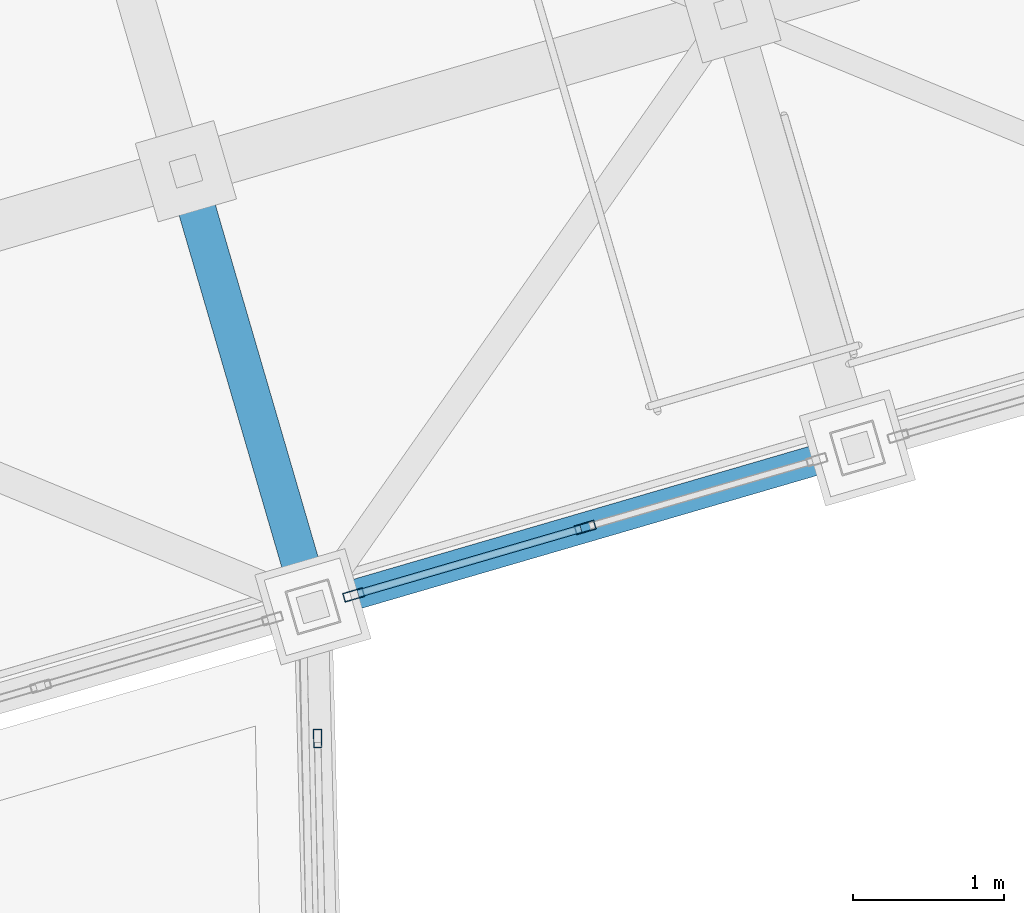
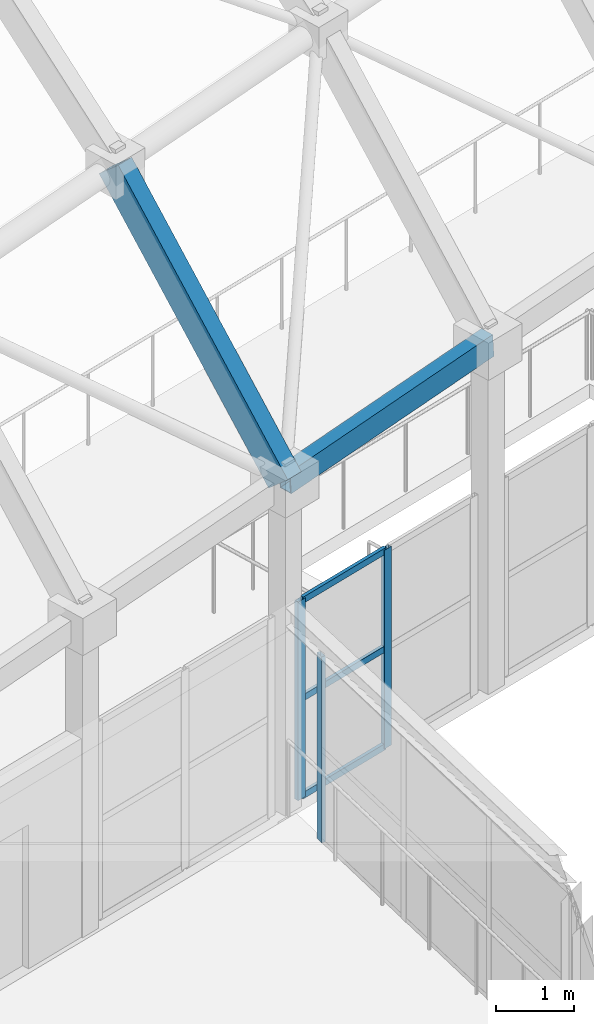
# One storey, part 45 of 248: 6 members, 2 beams, 2 elements without a shape of their own.
"""IFC4 building model written with IfcOpenShell, lengths in metres."""

from ifc_helpers import new_model, si_unit, direction, frame, origin, origin_2d, place, context, subcontext, project, spatial, hollow_rectangle, extrude, material, layer, layer_set, material_profile, profile_set, type_object, element, aggregate, save


model = new_model("IFC4")

# Units and contexts
model_context = context("Model", 3, precision=1e-05, world=origin(), true_north=direction((0.0, 1.0)))
body_context = subcontext(model_context, "Body", "Model", "MODEL_VIEW")
ifc_project = project(units=[si_unit("LENGTHUNIT", "METRE"), si_unit("AREAUNIT", "SQUARE_METRE"), si_unit("VOLUMEUNIT", "CUBIC_METRE"), si_unit("PLANEANGLEUNIT", "RADIAN"), si_unit("MASSUNIT", "GRAM", prefix="KILO")], contexts=[model_context])

# Site, building, storey
site_placement = place(None, origin())
site = spatial("IfcSite", under=ifc_project, at=site_placement, CompositionType="ELEMENT")
building_placement = place(site_placement, origin())
building = spatial("IfcBuilding", under=site, at=building_placement, Name="Canggui Botanical Conservatory", CompositionType="ELEMENT")
storey_placement = place(building_placement, frame((0.0, 0.0, 5.39990234375)))
storey = spatial("IfcBuildingStorey", under=building, at=storey_placement, Name="L02", CompositionType="ELEMENT", Elevation=5.39990234375)

# Beams
ifc_material_1 = material(Name="Steel Q355C", Category="steel")
ifc_material_profile_1 = material_profile(ifc_material_1, hollow_rectangle(XDim=0.25, YDim=0.449951171875, WallThickness=0.013916015625, at=origin_2d()), Name="RHS 250x450x14")
ifc_profile_set_1 = profile_set([ifc_material_profile_1], Name="Steel Q355C")
beam_type_1 = type_object("IfcBeamType", Name="BM-GJ02", PredefinedType="BEAM", material=ifc_profile_set_1)
beam_1_placement = place(storey_placement, frame((41.60009765625, 48.300048828125, 5.10009765625), z_axis=(-0.183568061506, 0.629284758361, 0.755184387874), x_axis=(-0.959989061447, -0.280037500885, 0.0)))
element("IfcBeam", 1, at=beam_1_placement, inside=storey, type_object=beam_type_1, Name="Conservatory Stepped-Arch Rib GJ-07 Segment 1", PredefinedType="BEAM", context=body_context, shape_type="SweptSolid", body=[
    extrude(hollow_rectangle(XDim=0.25, YDim=0.449951171875, WallThickness=0.013916015625, at=origin_2d()), origin(), (0.0, 0.0, 1.0), 4.576416015625),
])
ifc_material_profile_2 = material_profile(ifc_material_1, hollow_rectangle(XDim=0.199951171875, YDim=0.35009765625, WallThickness=0.011962890625, at=origin_2d()), Name="RHS 200x350x12")
ifc_profile_set_2 = profile_set([ifc_material_profile_2], Name="Steel Q355C")
beam_type_2 = type_object("IfcBeamType", Name="BM-RING01", PredefinedType="BEAM", material=ifc_profile_set_2)
beam_2_placement = place(storey_placement, frame((41.60009765625, 48.300048828125, 5.10009765625), z_axis=(0.957867059601, 0.279402253194, 0.066521252562), x_axis=(-0.280022500685, 0.959993437014, 0.0)))
element("IfcBeam", 2, at=beam_2_placement, inside=storey, type_object=beam_type_2, Name="Conservatory Perimeter Ring Beam V0-07", PredefinedType="BEAM", context=body_context, shape_type="SweptSolid", body=[
    extrude(hollow_rectangle(XDim=0.199951171875, YDim=0.35009765625, WallThickness=0.011962890625, at=origin_2d()), origin(), (0.0, 0.0, 1.0), 3.75830078125),
])

# Curtain wall, members
ifc_material_2 = material(Name="Thermally Broken Aluminium", Category="aluminium")
ifc_layer_1 = layer(ifc_material_2, 0.135009765625, Name="Thermally Broken Aluminium", Category="aluminium")
ifc_layer_set_1 = layer_set([ifc_layer_1], Name="Thermally Broken Aluminium")
curtain_wall_type_1 = type_object("IfcCurtainWallType", Name="CW-STICK-A", PredefinedType="USERDEFINED", material=ifc_layer_set_1)
curtain_wall_1_placement = place(storey_placement, origin())
curtain_wall_1 = element("IfcCurtainWall", 3, at=curtain_wall_1_placement, inside=storey, type_object=curtain_wall_type_1, Name="Facade Curtain Wall CW-CONS-L02-V0-07", ObjectType="STICK GLAZED WALL", PredefinedType="USERDEFINED")
ifc_material_profile_3 = material_profile(ifc_material_2, hollow_rectangle(XDim=0.06005859375, YDim=0.135009765625, WallThickness=0.00341796875, at=origin_2d()), Name="CWM 60x135x3.5")
ifc_profile_set_3 = profile_set([ifc_material_profile_3], Name="Thermally Broken Aluminium")
member_type_1 = type_object("IfcMemberType", Name="CWM-04", PredefinedType="MULLION", material=ifc_profile_set_3)
member_1_placement = place(storey_placement, frame((43.39990234375, 48.824951171875, 0.0), z_axis=(0.0, 0.0, 1.0), x_axis=(0.279999999995, -0.960000000002, 0.0)))
member_1 = element("IfcMember", 4, at=member_1_placement, type_object=member_type_1, Name="CW-04 mullion 2", PredefinedType="MULLION", context=body_context, shape_type="SweptSolid", body=[
    extrude(hollow_rectangle(XDim=0.06005859375, YDim=0.135009765625, WallThickness=0.00341796875, at=origin_2d()), origin(), (0.0, 0.0, 1.0), 3.10009765625),
])
member_2_placement = place(storey_placement, frame((41.868896484375, 48.37841796875, 0.0), z_axis=(0.0, 0.0, 1.0), x_axis=(0.279999999995, -0.960000000002, 0.0)))
member_2 = element("IfcMember", 5, at=member_2_placement, type_object=member_type_1, Name="CW-04 mullion 3", PredefinedType="MULLION", context=body_context, shape_type="SweptSolid", body=[
    extrude(hollow_rectangle(XDim=0.06005859375, YDim=0.135009765625, WallThickness=0.00341796875, at=origin_2d()), origin(), (0.0, 0.0, 1.0), 3.10009765625),
])

# Curtain wall, member
ifc_layer_2 = layer(ifc_material_2, 0.1201171875, Name="Thermally Broken Aluminium", Category="aluminium")
ifc_layer_set_2 = layer_set([ifc_layer_2], Name="Thermally Broken Aluminium")
curtain_wall_type_2 = type_object("IfcCurtainWallType", Name="CW-STICK-B", PredefinedType="USERDEFINED", material=ifc_layer_set_2)
curtain_wall_2_placement = place(storey_placement, origin())
curtain_wall_2 = element("IfcCurtainWall", 6, at=curtain_wall_2_placement, inside=storey, type_object=curtain_wall_type_2, Name="Facade Curtain Wall CW-SB-02-2", ObjectType="STICK GLAZED WALL", PredefinedType="USERDEFINED")
ifc_material_profile_4 = material_profile(ifc_material_2, hollow_rectangle(XDim=0.054931640625, YDim=0.1201171875, WallThickness=0.0029296875, at=origin_2d()), Name="CWM 55x120x3")
ifc_profile_set_4 = profile_set([ifc_material_profile_4], Name="Thermally Broken Aluminium")
member_type_2 = type_object("IfcMemberType", Name="CWM-05", PredefinedType="MULLION", material=ifc_profile_set_4)
member_3_placement = place(storey_placement, frame((41.630859375, 47.4296875, 0.0), z_axis=(0.0, 0.0, 1.0), x_axis=(-0.999761186008, -0.021853396804, 0.0)))
member_3 = element("IfcMember", 7, at=member_3_placement, type_object=member_type_2, Name="CW-05 mullion 7", PredefinedType="MULLION", context=body_context, shape_type="SweptSolid", body=[
    extrude(hollow_rectangle(XDim=0.054931640625, YDim=0.1201171875, WallThickness=0.0029296875, at=origin_2d()), origin(), (0.0, 0.0, 1.0), 2.900146484375),
])
aggregate(curtain_wall_2, [member_3])

# Member
ifc_material_profile_5 = material_profile(ifc_material_2, hollow_rectangle(XDim=0.050048828125, YDim=0.10009765625, WallThickness=0.0029296875, at=origin_2d()), Name="CWT 50x100x3")
ifc_profile_set_5 = profile_set([ifc_material_profile_5], Name="Thermally Broken Aluminium")
member_type_3 = type_object("IfcMemberType", Name="CWT-04", PredefinedType="USERDEFINED", material=ifc_profile_set_5)
member_4_placement = place(storey_placement, frame((43.37109375, 48.816650390625, 0.025146484375), z_axis=(-0.95996614364, -0.28011605285, 0.0), x_axis=(0.28011605285, -0.95996614364, 0.0)))
member_4 = element("IfcMember", 8, at=member_4_placement, type_object=member_type_3, Name="CW-04 transom 2.1", ObjectType="TRANSOM", PredefinedType="USERDEFINED", context=body_context, shape_type="SweptSolid", body=[
    extrude(hollow_rectangle(XDim=0.050048828125, YDim=0.10009765625, WallThickness=0.0029296875, at=origin_2d()), origin(), (0.0, 0.0, 1.0), 1.534912109375),
])

member_5_placement = place(storey_placement, frame((43.37109375, 48.816650390625, 1.550048828125), z_axis=(-0.95996614364, -0.28011605285, 0.0), x_axis=(0.28011605285, -0.95996614364, 0.0)))
member_5 = element("IfcMember", 9, at=member_5_placement, type_object=member_type_3, Name="CW-04 transom 2.2", ObjectType="TRANSOM", PredefinedType="USERDEFINED", context=body_context, shape_type="SweptSolid", body=[
    extrude(hollow_rectangle(XDim=0.050048828125, YDim=0.10009765625, WallThickness=0.0029296875, at=origin_2d()), origin(), (0.0, 0.0, 1.0), 1.534912109375),
])

member_6_placement = place(storey_placement, frame((43.37109375, 48.816650390625, 3.0751953125), z_axis=(-0.95996614364, -0.28011605285, 0.0), x_axis=(0.28011605285, -0.95996614364, 0.0)))
member_6 = element("IfcMember", 10, at=member_6_placement, type_object=member_type_3, Name="CW-04 transom 2.3", ObjectType="TRANSOM", PredefinedType="USERDEFINED", context=body_context, shape_type="SweptSolid", body=[
    extrude(hollow_rectangle(XDim=0.050048828125, YDim=0.10009765625, WallThickness=0.0029296875, at=origin_2d()), origin(), (0.0, 0.0, 1.0), 1.534912109375),
])

aggregate(curtain_wall_1, [member_1, member_2, member_4, member_5, member_6])

save(model, "model.ifc")
